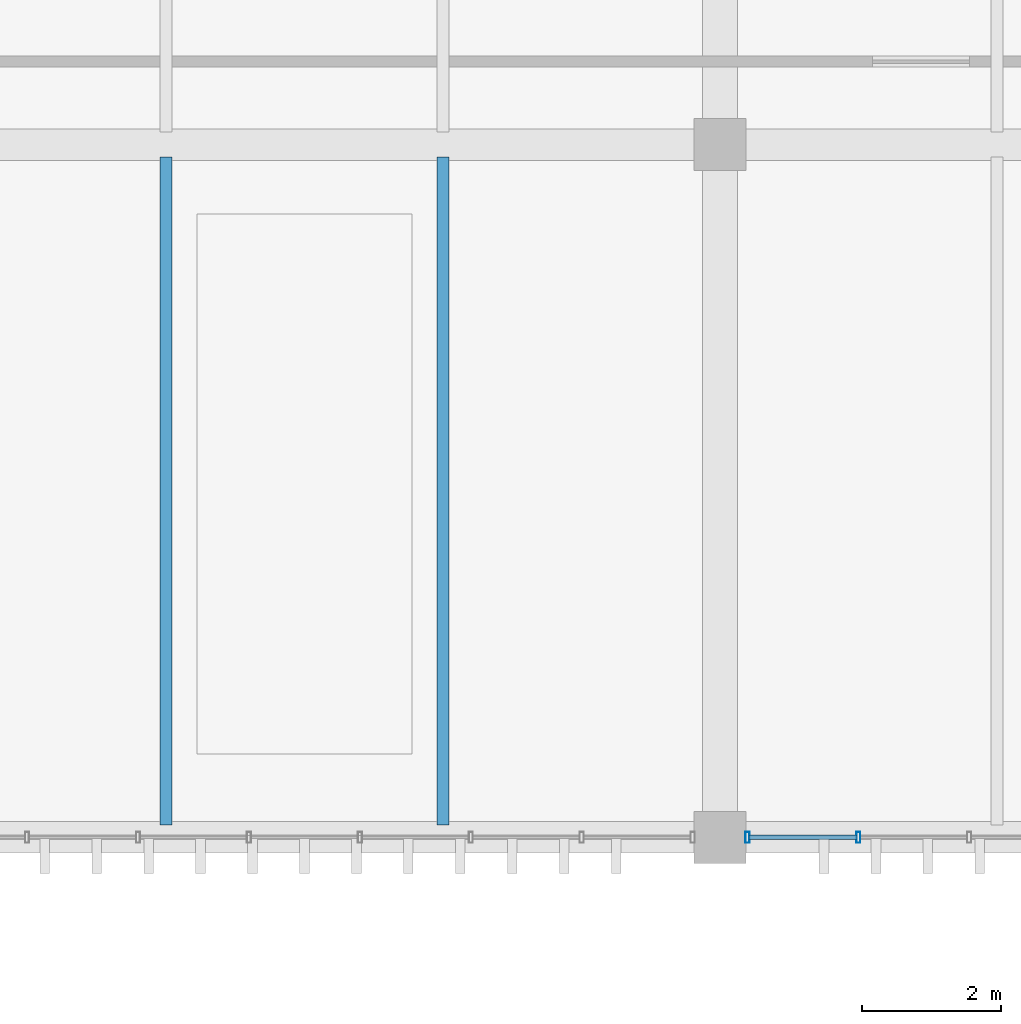
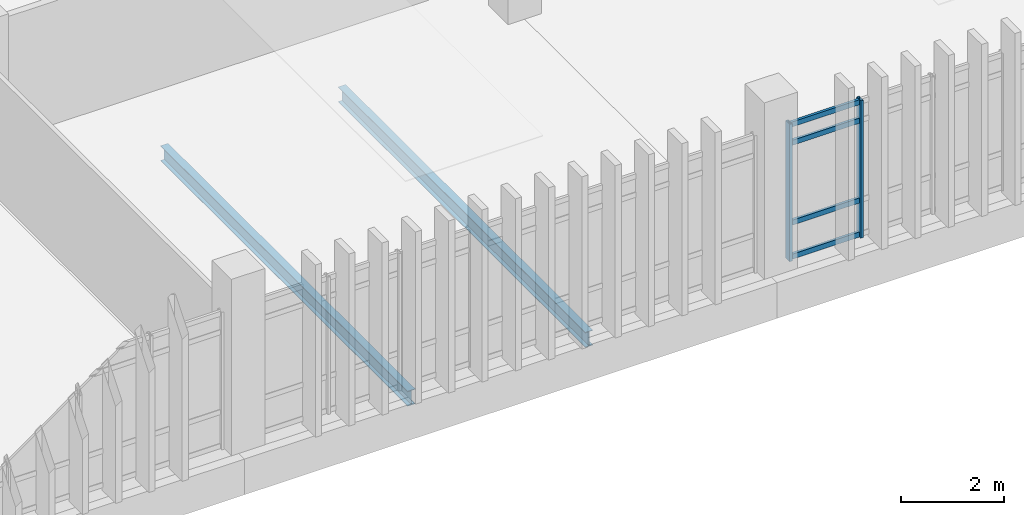
# One storey, part 76 of 161: 6 members, 2 beams, 1 element without a shape of its own.
"""IFC4 building model written with IfcOpenShell, lengths in metres."""

from ifc_helpers import new_model, si_unit, direction, frame, origin, origin_2d, place, context, subcontext, project, spatial, hollow_rectangle, i_section, extrude, material, layer, layer_set, material_profile, profile_set, type_object, element, aggregate, save


model = new_model("IFC4")

# Units and contexts
model_context = context("Model", 3, precision=1e-05, world=origin(), true_north=direction((0.0, 1.0)))
body_context = subcontext(model_context, "Body", "Model", "MODEL_VIEW")
ifc_project = project(units=[si_unit("LENGTHUNIT", "METRE"), si_unit("AREAUNIT", "SQUARE_METRE"), si_unit("VOLUMEUNIT", "CUBIC_METRE"), si_unit("PLANEANGLEUNIT", "RADIAN"), si_unit("MASSUNIT", "GRAM", prefix="KILO")], contexts=[model_context])

# Site, building, storey
site_placement = place(None, origin())
site = spatial("IfcSite", under=ifc_project, at=site_placement, CompositionType="ELEMENT")
building_placement = place(site_placement, origin())
building = spatial("IfcBuilding", under=site, at=building_placement, Name="Mersad Railyard Sports Hall", CompositionType="ELEMENT")
storey_placement = place(building_placement, frame((0.0, 0.0, 4.800048828125)))
storey = spatial("IfcBuildingStorey", under=building, at=storey_placement, Name="L01", CompositionType="ELEMENT", Elevation=4.800048828125)

# Curtain wall, members
ifc_material_1 = material(Name="Aluminium 6063-T6", Category="aluminium")
ifc_layer = layer(ifc_material_1, 0.159912109375)
ifc_layer_set = layer_set([ifc_layer], Name="Aluminium 6063-T6")
curtain_wall_type = type_object("IfcCurtainWallType", Name="ARC-CW-CW37", PredefinedType="USERDEFINED", material=ifc_layer_set)
curtain_wall_placement = place(storey_placement, origin())
curtain_wall = element("IfcCurtainWall", 1, at=curtain_wall_placement, inside=storey, type_object=curtain_wall_type, Name="Curtain wall CW37-0107", ObjectType="CURTAIN WALL", PredefinedType="USERDEFINED")
ifc_material_profile_1 = material_profile(ifc_material_1, hollow_rectangle(XDim=0.06005859375, YDim=0.159912109375, WallThickness=0.00390625, at=origin_2d()), Name="AL MULLION 60x160x4")
ifc_profile_set_1 = profile_set([ifc_material_profile_1], Name="Aluminium 6063-T6")
member_type_1 = type_object("IfcMemberType", Name="ARC-CW-MUL01", PredefinedType="MULLION", material=ifc_profile_set_1)
member_1_placement = place(storey_placement, frame((80.996337890625, 85.0, -0.02001953125), z_axis=(0.0, 0.0, 1.0), x_axis=(1.0, 0.0, 0.0)))
member_1 = element("IfcMember", 2, at=member_1_placement, type_object=member_type_1, Name="CW37 Mullion 7", PredefinedType="MULLION", context=body_context, shape_type="SweptSolid", body=[
    extrude(hollow_rectangle(XDim=0.06005859375, YDim=0.159912109375, WallThickness=0.00390625, at=origin_2d()), origin(), (0.0, 0.0, 1.0), 3.27001953125),
])
member_2_placement = place(storey_placement, frame((79.39501953125, 85.0, -0.02001953125), z_axis=(0.0, 0.0, 1.0), x_axis=(1.0, 0.0, 0.0)))
member_2 = element("IfcMember", 3, at=member_2_placement, type_object=member_type_1, Name="CW37 Mullion 8", PredefinedType="MULLION", context=body_context, shape_type="SweptSolid", body=[
    extrude(hollow_rectangle(XDim=0.06005859375, YDim=0.159912109375, WallThickness=0.00390625, at=origin_2d()), origin(), (0.0, 0.0, 1.0), 3.27001953125),
])
ifc_material_profile_2 = material_profile(ifc_material_1, hollow_rectangle(XDim=0.06005859375, YDim=0.1201171875, WallThickness=0.00390625, at=origin_2d()), Name="AL TRANSOM 60x120x4")
ifc_profile_set_2 = profile_set([ifc_material_profile_2], Name="Aluminium 6063-T6")
member_type_2 = type_object("IfcMemberType", Name="ARC-CW-TRN01", PredefinedType="USERDEFINED", material=ifc_profile_set_2)
member_3_placement = place(storey_placement, frame((80.976318359375, 85.0, 0.0400390625), z_axis=(-1.0, 0.0, 0.0), x_axis=(0.0, -1.0, 0.0)))
member_3 = element("IfcMember", 4, at=member_3_placement, type_object=member_type_2, Name="CW37 Transom 1-7", ObjectType="TRANSOM", PredefinedType="USERDEFINED", context=body_context, shape_type="SweptSolid", body=[
    extrude(hollow_rectangle(XDim=0.06005859375, YDim=0.1201171875, WallThickness=0.00390625, at=origin_2d()), origin(), (0.0, 0.0, 1.0), 1.561279296875),
])
member_4_placement = place(storey_placement, frame((80.976318359375, 85.0, 0.849853515625), z_axis=(-1.0, 0.0, 0.0), x_axis=(0.0, -1.0, 0.0)))
member_4 = element("IfcMember", 5, at=member_4_placement, type_object=member_type_2, Name="CW37 Transom 2-7", ObjectType="TRANSOM", PredefinedType="USERDEFINED", context=body_context, shape_type="SweptSolid", body=[
    extrude(hollow_rectangle(XDim=0.06005859375, YDim=0.1201171875, WallThickness=0.00390625, at=origin_2d()), origin(), (0.0, 0.0, 1.0), 1.561279296875),
])
member_5_placement = place(storey_placement, frame((80.976318359375, 85.0, 2.75), z_axis=(-1.0, 0.0, 0.0), x_axis=(0.0, -1.0, 0.0)))
member_5 = element("IfcMember", 6, at=member_5_placement, type_object=member_type_2, Name="CW37 Transom 3-7", ObjectType="TRANSOM", PredefinedType="USERDEFINED", context=body_context, shape_type="SweptSolid", body=[
    extrude(hollow_rectangle(XDim=0.06005859375, YDim=0.1201171875, WallThickness=0.00390625, at=origin_2d()), origin(), (0.0, 0.0, 1.0), 1.561279296875),
])
member_6_placement = place(storey_placement, frame((80.976318359375, 85.0, 3.18994140625), z_axis=(-1.0, 0.0, 0.0), x_axis=(0.0, -1.0, 0.0)))
member_6 = element("IfcMember", 7, at=member_6_placement, type_object=member_type_2, Name="CW37 Transom 4-7", ObjectType="TRANSOM", PredefinedType="USERDEFINED", context=body_context, shape_type="SweptSolid", body=[
    extrude(hollow_rectangle(XDim=0.06005859375, YDim=0.1201171875, WallThickness=0.00390625, at=origin_2d()), origin(), (0.0, 0.0, 1.0), 1.561279296875),
])
aggregate(curtain_wall, [member_1, member_2, member_3, member_4, member_5, member_6])

# Beams
ifc_material_2 = material(Name="Steel S355", Category="steel")
ifc_material_profile_3 = material_profile(ifc_material_2, i_section(OverallWidth=0.169921875, OverallDepth=0.360107421875, WebThickness=0.008056640625, FlangeThickness=0.0126953125, at=origin_2d()), Name="IPE 360")
ifc_profile_set_3 = profile_set([ifc_material_profile_3], Name="Steel S355")
beam_type = type_object("IfcBeamType", Name="STR-BM-J03", PredefinedType="JOIST", material=ifc_profile_set_3)
for number, where, z_axis, x_axis, name in (
    (8, (71.0, 85.179931640625, -0.47998046875), (0.0, 1.0, 0.0), (-1.0, 0.0, 0.0), "Beam J03-1018"),
    (9, (75.0, 85.179931640625, -0.47998046875), (0.0, 1.0, 0.0), (-1.0, 0.0, 0.0), "Beam J03-1019"),
):
    element("IfcBeam", number, at=place(storey_placement, frame(where, z_axis=z_axis, x_axis=x_axis)), inside=storey, type_object=beam_type, Name=name, PredefinedType="JOIST", context=body_context, shape_type="SweptSolid", body=[
        extrude(i_section(OverallWidth=0.169921875, OverallDepth=0.360107421875, WebThickness=0.008056640625, FlangeThickness=0.0126953125, at=origin_2d()), origin(), (0.0, 0.0, 1.0), 9.64013671875),
    ])

save(model, "model.ifc")
